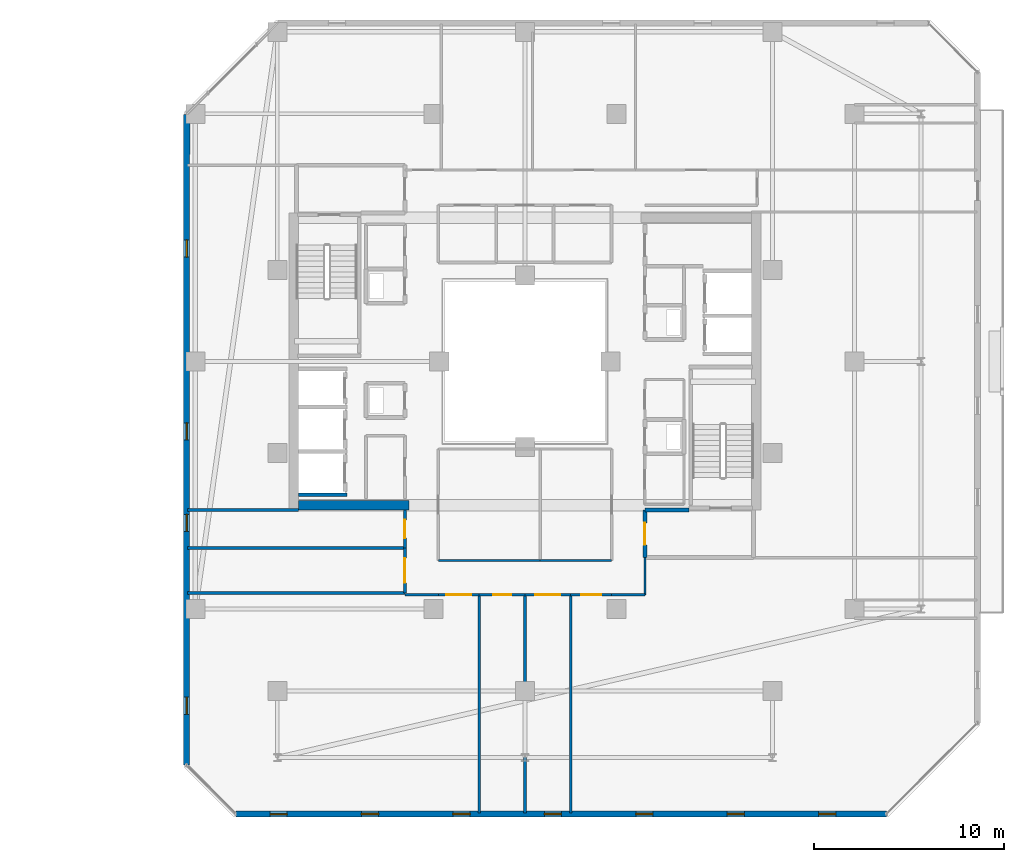
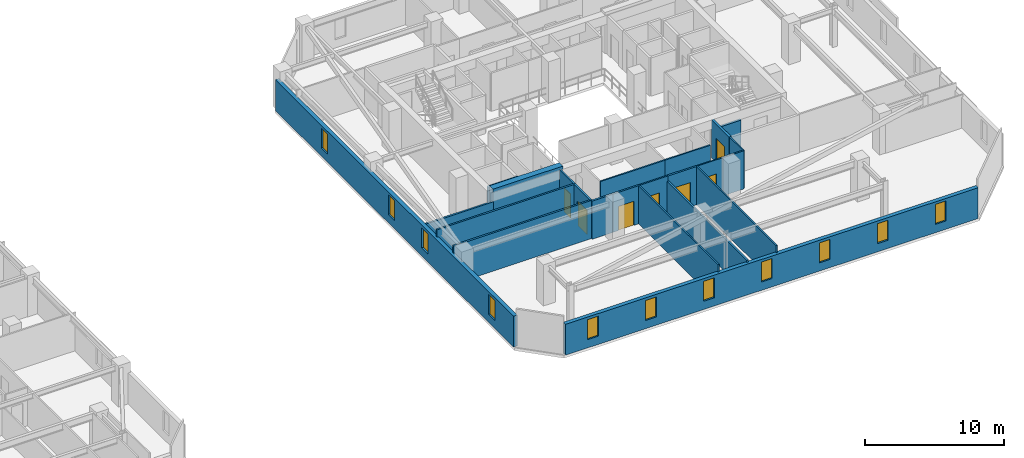
# One storey, part 22 of 32: 23 walls, 11 windows, 7 doors, 18 openings.
"""IFC4 building model written with IfcOpenShell, lengths in metres."""

from ifc_helpers import new_model, si_unit, direction, frame, frame_2d, origin, place, context, subcontext, project, spatial, rectangle, extrude, material, layer, layer_set, type_object, element, fill, save


model = new_model("IFC4")

# Units and contexts
model_context = context("Model", 3, precision=1e-05, world=origin(), true_north=direction((0.0, 1.0)))
body_context = subcontext(model_context, "Body", "Model", "MODEL_VIEW")
ifc_project = project(units=[si_unit("LENGTHUNIT", "METRE"), si_unit("AREAUNIT", "SQUARE_METRE"), si_unit("VOLUMEUNIT", "CUBIC_METRE"), si_unit("PLANEANGLEUNIT", "RADIAN"), si_unit("MASSUNIT", "GRAM", prefix="KILO")], contexts=[model_context])

# Site, building, storey
site_placement = place(None, origin())
site = spatial("IfcSite", under=ifc_project, at=site_placement, CompositionType="ELEMENT")
building_placement = place(site_placement, origin())
building = spatial("IfcBuilding", under=site, at=building_placement, Name="Thornwick Lancets Civic Towers", CompositionType="ELEMENT")
storey_placement = place(building_placement, frame((0.0, 0.0, 247.5)))
storey = spatial("IfcBuildingStorey", under=building, at=storey_placement, Name="L66", CompositionType="ELEMENT", Elevation=247.5)

# Walls
ifc_material_1 = material(Name="Concrete blockwork C40/50", Category="masonry")
ifc_layer_1 = layer(ifc_material_1, 0.199951171875, Name="Concrete blockwork C40/50")
ifc_layer_set_1 = layer_set([ifc_layer_1], Name="Concrete blockwork C40/50")
wall_type_1 = type_object("IfcWallType", Name="WALL_COMP_200", PredefinedType="STANDARD", material=ifc_layer_set_1)
wall_1_placement = place(storey_placement, frame((76.612060546875, 20.0, 0.0), z_axis=(0.0, 0.0, 1.0), x_axis=(1.0, 0.0, 0.0)))
element("IfcWall", 1, at=wall_1_placement, inside=storey, type_object=wall_type_1, Name="L66 Hoistway Shaft Wall PL-BH3 S", PredefinedType="STANDARD", context=body_context, shape_type="SweptSolid", body=[
    extrude(rectangle(XDim=2.535888671875, YDim=0.199951171875, at=frame_2d((1.26806640625, 0.0))), origin(), (0.0, 0.0, 1.0), 3.340087890625),
])
wall_2_placement = place(storey_placement, frame((97.10009765625, 19.199951171875, 0.0), z_axis=(0.0, 0.0, 1.0), x_axis=(-1.0, 0.0, 0.0)))
element("IfcWall", 2, at=wall_2_placement, inside=storey, type_object=wall_type_1, Name="L66 Partition L66-B-FFLOB1 E3", PredefinedType="STANDARD", context=body_context, shape_type="SweptSolid", body=[
    extrude(rectangle(XDim=2.300048828125, YDim=0.199951171875, at=frame_2d((1.14990234375, 0.0))), origin(), (0.0, 0.0, 1.0), 2.544921875),
])

# Wall, opening, door
wall_3_placement = place(storey_placement, frame((94.800048828125, 19.199951171875, 0.0), z_axis=(0.0, 0.0, 1.0), x_axis=(0.0, -1.0, 0.0)))
wall_3 = element("IfcWall", 3, at=wall_3_placement, inside=storey, type_object=wall_type_1, Name="L66 Partition L66-B-FFLOB1 E4", PredefinedType="STANDARD", context=body_context, shape_type="SweptSolid", body=[
    extrude(rectangle(XDim=2.5, YDim=0.199951171875, at=frame_2d((1.25, 0.0))), origin(), (0.0, 0.0, 1.0), 3.340087890625),
])
opening_1_placement = place(wall_3_placement, frame((0.675048828125, 0.0, 0.0)))
opening_1 = element("IfcOpeningElement", 4, at=opening_1_placement, cuts=wall_3, Name="Opening D-L66-2985", PredefinedType="OPENING", context=body_context, shape_type="SweptSolid", body=[
    extrude(rectangle(XDim=1.14990234375, YDim=2.10009765625, at=frame_2d((0.574951171875, 1.050048828125))), frame((0.0, 0.10986328125, 0.0), z_axis=(0.0, -1.0, 0.0), x_axis=(1.0, 0.0, 0.0)), (0.0, 0.0, 1.0), 0.219970703125),
])
ifc_material_2 = material(Name="Glazed fire-resisting steel", Category="steel")
door_type_1 = type_object("IfcDoorType", Name="DOOR_LOBBY_FD60", OperationType="NOTDEFINED", PredefinedType="DOOR", material=ifc_material_2)
door_1_placement = place(opening_1_placement, origin())
door_1 = element("IfcDoor", 5, at=door_1_placement, inside=storey, type_object=door_type_1, Name="L66 East Firefighting Lobby 1 Door", OperationType="SINGLE_SWING_RIGHT", OverallHeight=2.10009765625, OverallWidth=1.14990234375, PredefinedType="DOOR", context=body_context, shape_type="SweptSolid", body=[
    extrude(rectangle(XDim=1.14990234375, YDim=2.10009765625, at=frame_2d((0.574951171875, 1.050048828125))), frame((0.0, 0.02490234375, 0.0), z_axis=(0.0, -1.0, 0.0), x_axis=(1.0, 0.0, 0.0)), (0.0, 0.0, 1.0), 0.050048828125),
])
fill(opening_1, door_1)

# Wall
ifc_material_3 = material(Name="Concrete C50/60", Category="concrete")
ifc_layer_2 = layer(ifc_material_3, 0.5, Name="Concrete C50/60")
ifc_layer_set_2 = layer_set([ifc_layer_2], Name="Concrete C50/60")
wall_type_2 = type_object("IfcWallType", Name="WALL_CORE_500", PredefinedType="SHEAR", material=ifc_layer_set_2)
wall_4_placement = place(storey_placement, frame((76.60009765625, 19.449951171875, 0.0), z_axis=(0.0, 0.0, 1.0), x_axis=(1.0, 0.0, 0.0)))
element("IfcWall", 6, at=wall_4_placement, inside=storey, type_object=wall_type_2, Name="L66 Split Core B2 Shear Wall S", PredefinedType="SHEAR", context=body_context, shape_type="SweptSolid", body=[
    extrude(rectangle(XDim=5.7998046875, YDim=0.5, at=frame_2d((2.89990234375, 0.0))), origin(), (0.0, 0.0, 1.0), 3.60009765625),
])

# Wall, openings, windows
ifc_material_4 = material(Name="Insulated buff terracotta rainscreen on concrete C40/50", Category="masonry")
ifc_layer_3 = layer(ifc_material_4, 0.320068359375, Name="Insulated buff terracotta rainscreen on concrete C40/50")
ifc_layer_set_3 = layer_set([ifc_layer_3], Name="Insulated buff terracotta rainscreen on concrete C40/50")
wall_type_3 = type_object("IfcWallType", Name="WALL_EXT_TERRA_320", PredefinedType="STANDARD", material=ifc_layer_set_3)
wall_5_placement = place(storey_placement, frame((73.318603515625, 3.2353515625, 0.0), z_axis=(0.0, 0.0, 1.0), x_axis=(0.99999997701, 0.000214431216, 0.0)))
wall_5 = element("IfcWall", 7, at=wall_5_placement, inside=storey, type_object=wall_type_3, Name="L66 Tower B Terracotta Facade Wall E0", PredefinedType="STANDARD", context=body_context, shape_type="SweptSolid", body=[
    extrude(rectangle(XDim=34.156494140625, YDim=0.320068359375, at=frame_2d((17.078125, 0.0))), origin(), (0.0, 0.0, 1.0), 2.699951171875),
])
opening_2_placement = place(wall_5_placement, frame((1.800048828125, 0.0, 0.719970703125)))
opening_2 = element("IfcOpeningElement", 8, at=opening_2_placement, cuts=wall_5, Name="Opening WL-01", PredefinedType="OPENING", context=body_context, shape_type="SweptSolid", body=[
    extrude(rectangle(XDim=0.89990234375, YDim=1.75, at=frame_2d((0.449951171875, 0.875))), frame((0.0, 0.169921875, 0.0), z_axis=(0.0, -1.0, 0.0), x_axis=(1.0, 0.0, 0.0)), (0.0, 0.0, 1.0), 0.340087890625),
])
opening_3_placement = place(wall_5_placement, frame((6.60009765625, 0.0, 0.719970703125)))
opening_3 = element("IfcOpeningElement", 9, at=opening_3_placement, cuts=wall_5, Name="Opening WL-01", PredefinedType="OPENING", context=body_context, shape_type="SweptSolid", body=[
    extrude(rectangle(XDim=0.89990234375, YDim=1.75, at=frame_2d((0.449951171875, 0.875))), frame((0.0, 0.169921875, 0.0), z_axis=(0.0, -1.0, 0.0), x_axis=(1.0, 0.0, 0.0)), (0.0, 0.0, 1.0), 0.340087890625),
])
opening_4_placement = place(wall_5_placement, frame((11.39990234375, 0.0, 0.719970703125)))
opening_4 = element("IfcOpeningElement", 10, at=opening_4_placement, cuts=wall_5, Name="Opening WL-01", PredefinedType="OPENING", context=body_context, shape_type="SweptSolid", body=[
    extrude(rectangle(XDim=0.89990234375, YDim=1.75, at=frame_2d((0.449951171875, 0.875))), frame((0.0, 0.169921875, 0.0), z_axis=(0.0, -1.0, 0.0), x_axis=(1.0, 0.0, 0.0)), (0.0, 0.0, 1.0), 0.340087890625),
])
opening_5_placement = place(wall_5_placement, frame((16.199951171875, 0.0, 0.719970703125)))
opening_5 = element("IfcOpeningElement", 11, at=opening_5_placement, cuts=wall_5, Name="Opening WL-01", PredefinedType="OPENING", context=body_context, shape_type="SweptSolid", body=[
    extrude(rectangle(XDim=0.89990234375, YDim=1.75, at=frame_2d((0.449951171875, 0.875))), frame((0.0, 0.169921875, 0.0), z_axis=(0.0, -1.0, 0.0), x_axis=(1.0, 0.0, 0.0)), (0.0, 0.0, 1.0), 0.340087890625),
])
opening_6_placement = place(wall_5_placement, frame((21.0, 0.0, 0.719970703125)))
opening_6 = element("IfcOpeningElement", 12, at=opening_6_placement, cuts=wall_5, Name="Opening WL-01", PredefinedType="OPENING", context=body_context, shape_type="SweptSolid", body=[
    extrude(rectangle(XDim=0.89990234375, YDim=1.75, at=frame_2d((0.449951171875, 0.875))), frame((0.0, 0.169921875, 0.0), z_axis=(0.0, -1.0, 0.0), x_axis=(1.0, 0.0, 0.0)), (0.0, 0.0, 1.0), 0.340087890625),
])
opening_7_placement = place(wall_5_placement, frame((25.800048828125, 0.0, 0.719970703125)))
opening_7 = element("IfcOpeningElement", 13, at=opening_7_placement, cuts=wall_5, Name="Opening WL-01", PredefinedType="OPENING", context=body_context, shape_type="SweptSolid", body=[
    extrude(rectangle(XDim=0.89990234375, YDim=1.75, at=frame_2d((0.449951171875, 0.875))), frame((0.0, 0.169921875, 0.0), z_axis=(0.0, -1.0, 0.0), x_axis=(1.0, 0.0, 0.0)), (0.0, 0.0, 1.0), 0.340087890625),
])
opening_8_placement = place(wall_5_placement, frame((30.60009765625, 0.0, 0.719970703125)))
opening_8 = element("IfcOpeningElement", 14, at=opening_8_placement, cuts=wall_5, Name="Opening WL-01", PredefinedType="OPENING", context=body_context, shape_type="SweptSolid", body=[
    extrude(rectangle(XDim=0.89990234375, YDim=1.75, at=frame_2d((0.449951171875, 0.875))), frame((0.0, 0.169921875, 0.0), z_axis=(0.0, -1.0, 0.0), x_axis=(1.0, 0.0, 0.0)), (0.0, 0.0, 1.0), 0.340087890625),
])
ifc_material_5 = material(Name="Clear low-e double glazing in bronze frame", Category="glass")
window_type = type_object("IfcWindowType", Name="WIN_LANCET_900", PartitioningType="SINGLE_PANEL", PredefinedType="WINDOW", material=ifc_material_5)
window_1_placement = place(opening_2_placement, origin())
window_1 = element("IfcWindow", 15, at=window_1_placement, inside=storey, type_object=window_type, Name="L66 Tower B Staggered Lancet Window E0-1", OverallHeight=1.75, OverallWidth=0.89990234375, PartitioningType="SINGLE_PANEL", PredefinedType="WINDOW", context=body_context, shape_type="SweptSolid", body=[
    extrude(rectangle(XDim=0.89990234375, YDim=1.75, at=frame_2d((0.449951171875, 0.875))), frame((0.0, 0.030029296875, 0.0), z_axis=(0.0, -1.0, 0.0), x_axis=(1.0, 0.0, 0.0)), (0.0, 0.0, 1.0), 0.06005859375),
])
fill(opening_2, window_1)
window_2_placement = place(opening_3_placement, origin())
window_2 = element("IfcWindow", 16, at=window_2_placement, inside=storey, type_object=window_type, Name="L66 Tower B Staggered Lancet Window E0-2", OverallHeight=1.75, OverallWidth=0.89990234375, PartitioningType="SINGLE_PANEL", PredefinedType="WINDOW", context=body_context, shape_type="SweptSolid", body=[
    extrude(rectangle(XDim=0.89990234375, YDim=1.75, at=frame_2d((0.449951171875, 0.875))), frame((0.0, 0.030029296875, 0.0), z_axis=(0.0, -1.0, 0.0), x_axis=(1.0, 0.0, 0.0)), (0.0, 0.0, 1.0), 0.06005859375),
])
fill(opening_3, window_2)
window_3_placement = place(opening_4_placement, origin())
window_3 = element("IfcWindow", 17, at=window_3_placement, inside=storey, type_object=window_type, Name="L66 Tower B Staggered Lancet Window E0-3", OverallHeight=1.75, OverallWidth=0.89990234375, PartitioningType="SINGLE_PANEL", PredefinedType="WINDOW", context=body_context, shape_type="SweptSolid", body=[
    extrude(rectangle(XDim=0.89990234375, YDim=1.75, at=frame_2d((0.449951171875, 0.875))), frame((0.0, 0.030029296875, 0.0), z_axis=(0.0, -1.0, 0.0), x_axis=(1.0, 0.0, 0.0)), (0.0, 0.0, 1.0), 0.06005859375),
])
fill(opening_4, window_3)
window_4_placement = place(opening_5_placement, origin())
window_4 = element("IfcWindow", 18, at=window_4_placement, inside=storey, type_object=window_type, Name="L66 Tower B Staggered Lancet Window E0-4", OverallHeight=1.75, OverallWidth=0.89990234375, PartitioningType="SINGLE_PANEL", PredefinedType="WINDOW", context=body_context, shape_type="SweptSolid", body=[
    extrude(rectangle(XDim=0.89990234375, YDim=1.75, at=frame_2d((0.449951171875, 0.875))), frame((0.0, 0.030029296875, 0.0), z_axis=(0.0, -1.0, 0.0), x_axis=(1.0, 0.0, 0.0)), (0.0, 0.0, 1.0), 0.06005859375),
])
fill(opening_5, window_4)
window_5_placement = place(opening_6_placement, origin())
window_5 = element("IfcWindow", 19, at=window_5_placement, inside=storey, type_object=window_type, Name="L66 Tower B Staggered Lancet Window E0-5", OverallHeight=1.75, OverallWidth=0.89990234375, PartitioningType="SINGLE_PANEL", PredefinedType="WINDOW", context=body_context, shape_type="SweptSolid", body=[
    extrude(rectangle(XDim=0.89990234375, YDim=1.75, at=frame_2d((0.449951171875, 0.875))), frame((0.0, 0.030029296875, 0.0), z_axis=(0.0, -1.0, 0.0), x_axis=(1.0, 0.0, 0.0)), (0.0, 0.0, 1.0), 0.06005859375),
])
fill(opening_6, window_5)
window_6_placement = place(opening_7_placement, origin())
window_6 = element("IfcWindow", 20, at=window_6_placement, inside=storey, type_object=window_type, Name="L66 Tower B Staggered Lancet Window E0-6", OverallHeight=1.75, OverallWidth=0.89990234375, PartitioningType="SINGLE_PANEL", PredefinedType="WINDOW", context=body_context, shape_type="SweptSolid", body=[
    extrude(rectangle(XDim=0.89990234375, YDim=1.75, at=frame_2d((0.449951171875, 0.875))), frame((0.0, 0.030029296875, 0.0), z_axis=(0.0, -1.0, 0.0), x_axis=(1.0, 0.0, 0.0)), (0.0, 0.0, 1.0), 0.06005859375),
])
fill(opening_7, window_6)
window_7_placement = place(opening_8_placement, origin())
window_7 = element("IfcWindow", 21, at=window_7_placement, inside=storey, type_object=window_type, Name="L66 Tower B Staggered Lancet Window E0-7", OverallHeight=1.75, OverallWidth=0.89990234375, PartitioningType="SINGLE_PANEL", PredefinedType="WINDOW", context=body_context, shape_type="SweptSolid", body=[
    extrude(rectangle(XDim=0.89990234375, YDim=1.75, at=frame_2d((0.449951171875, 0.875))), frame((0.0, 0.030029296875, 0.0), z_axis=(0.0, -1.0, 0.0), x_axis=(1.0, 0.0, 0.0)), (0.0, 0.0, 1.0), 0.06005859375),
])
fill(opening_8, window_7)

wall_6_placement = place(storey_placement, frame((70.74267578125, 39.97509765625, 0.0), z_axis=(0.0, 0.0, 1.0), x_axis=(-0.000214431216, -0.99999997701, 0.0)))
wall_6 = element("IfcWall", 22, at=wall_6_placement, inside=storey, type_object=wall_type_3, Name="L66 Tower B Terracotta Facade Wall E6", PredefinedType="STANDARD", context=body_context, shape_type="SweptSolid", body=[
    extrude(rectangle(XDim=34.156494140625, YDim=0.320068359375, at=frame_2d((17.078125, 0.0))), origin(), (0.0, 0.0, 1.0), 2.699951171875),
])
opening_9_placement = place(wall_6_placement, frame((6.60009765625, 0.0, 0.719970703125)))
opening_9 = element("IfcOpeningElement", 23, at=opening_9_placement, cuts=wall_6, Name="Opening WL-01", PredefinedType="OPENING", context=body_context, shape_type="SweptSolid", body=[
    extrude(rectangle(XDim=0.89990234375, YDim=1.75, at=frame_2d((0.449951171875, 0.875))), frame((0.0, 0.169921875, 0.0), z_axis=(0.0, -1.0, 0.0), x_axis=(1.0, 0.0, 0.0)), (0.0, 0.0, 1.0), 0.340087890625),
])
opening_10_placement = place(wall_6_placement, frame((16.199951171875, 0.0, 0.719970703125)))
opening_10 = element("IfcOpeningElement", 24, at=opening_10_placement, cuts=wall_6, Name="Opening WL-01", PredefinedType="OPENING", context=body_context, shape_type="SweptSolid", body=[
    extrude(rectangle(XDim=0.89990234375, YDim=1.75, at=frame_2d((0.449951171875, 0.875))), frame((0.0, 0.169921875, 0.0), z_axis=(0.0, -1.0, 0.0), x_axis=(1.0, 0.0, 0.0)), (0.0, 0.0, 1.0), 0.340087890625),
])
opening_11_placement = place(wall_6_placement, frame((21.0, 0.0, 0.719970703125)))
opening_11 = element("IfcOpeningElement", 25, at=opening_11_placement, cuts=wall_6, Name="Opening WL-01", PredefinedType="OPENING", context=body_context, shape_type="SweptSolid", body=[
    extrude(rectangle(XDim=0.89990234375, YDim=1.75, at=frame_2d((0.449951171875, 0.875))), frame((0.0, 0.169921875, 0.0), z_axis=(0.0, -1.0, 0.0), x_axis=(1.0, 0.0, 0.0)), (0.0, 0.0, 1.0), 0.340087890625),
])
opening_12_placement = place(wall_6_placement, frame((30.60009765625, 0.0, 0.719970703125)))
opening_12 = element("IfcOpeningElement", 26, at=opening_12_placement, cuts=wall_6, Name="Opening WL-01", PredefinedType="OPENING", context=body_context, shape_type="SweptSolid", body=[
    extrude(rectangle(XDim=0.89990234375, YDim=1.75, at=frame_2d((0.449951171875, 0.875))), frame((0.0, 0.169921875, 0.0), z_axis=(0.0, -1.0, 0.0), x_axis=(1.0, 0.0, 0.0)), (0.0, 0.0, 1.0), 0.340087890625),
])
window_8_placement = place(opening_9_placement, origin())
window_8 = element("IfcWindow", 27, at=window_8_placement, inside=storey, type_object=window_type, Name="L66 Tower B Staggered Lancet Window E6-1", OverallHeight=1.75, OverallWidth=0.89990234375, PartitioningType="SINGLE_PANEL", PredefinedType="WINDOW", context=body_context, shape_type="SweptSolid", body=[
    extrude(rectangle(XDim=0.89990234375, YDim=1.75, at=frame_2d((0.449951171875, 0.875))), frame((0.0, 0.030029296875, 0.0), z_axis=(0.0, -1.0, 0.0), x_axis=(1.0, 0.0, 0.0)), (0.0, 0.0, 1.0), 0.06005859375),
])
fill(opening_9, window_8)
window_9_placement = place(opening_10_placement, origin())
window_9 = element("IfcWindow", 28, at=window_9_placement, inside=storey, type_object=window_type, Name="L66 Tower B Staggered Lancet Window E6-2", OverallHeight=1.75, OverallWidth=0.89990234375, PartitioningType="SINGLE_PANEL", PredefinedType="WINDOW", context=body_context, shape_type="SweptSolid", body=[
    extrude(rectangle(XDim=0.89990234375, YDim=1.75, at=frame_2d((0.449951171875, 0.875))), frame((0.0, 0.030029296875, 0.0), z_axis=(0.0, -1.0, 0.0), x_axis=(1.0, 0.0, 0.0)), (0.0, 0.0, 1.0), 0.06005859375),
])
fill(opening_10, window_9)
window_10_placement = place(opening_11_placement, origin())
window_10 = element("IfcWindow", 29, at=window_10_placement, inside=storey, type_object=window_type, Name="L66 Tower B Staggered Lancet Window E6-3", OverallHeight=1.75, OverallWidth=0.89990234375, PartitioningType="SINGLE_PANEL", PredefinedType="WINDOW", context=body_context, shape_type="SweptSolid", body=[
    extrude(rectangle(XDim=0.89990234375, YDim=1.75, at=frame_2d((0.449951171875, 0.875))), frame((0.0, 0.030029296875, 0.0), z_axis=(0.0, -1.0, 0.0), x_axis=(1.0, 0.0, 0.0)), (0.0, 0.0, 1.0), 0.06005859375),
])
fill(opening_11, window_10)
window_11_placement = place(opening_12_placement, origin())
window_11 = element("IfcWindow", 30, at=window_11_placement, inside=storey, type_object=window_type, Name="L66 Tower B Staggered Lancet Window E6-4", OverallHeight=1.75, OverallWidth=0.89990234375, PartitioningType="SINGLE_PANEL", PredefinedType="WINDOW", context=body_context, shape_type="SweptSolid", body=[
    extrude(rectangle(XDim=0.89990234375, YDim=1.75, at=frame_2d((0.449951171875, 0.875))), frame((0.0, 0.030029296875, 0.0), z_axis=(0.0, -1.0, 0.0), x_axis=(1.0, 0.0, 0.0)), (0.0, 0.0, 1.0), 0.06005859375),
])
fill(opening_12, window_11)

# Wall
ifc_material_6 = material(Name="Acoustic gypsum board partition")
ifc_layer_4 = layer(ifc_material_6, 0.1201171875, Name="Acoustic gypsum board partition")
ifc_layer_set_4 = layer_set([ifc_layer_4], Name="Acoustic gypsum board partition")
wall_type_4 = type_object("IfcWallType", Name="WALL_PART_120", PredefinedType="PARTITIONING", material=ifc_layer_set_4)
wall_7_placement = place(storey_placement, frame((90.89990234375, 3.280029296875, 0.0), z_axis=(0.0, 0.0, 1.0), x_axis=(0.0, 1.0, 0.0)))
element("IfcWall", 31, at=wall_7_placement, inside=storey, type_object=wall_type_4, Name="L66 Partition L66-B-W1 E2", PredefinedType="PARTITIONING", context=body_context, shape_type="SweptSolid", body=[
    extrude(rectangle(XDim=11.469970703125, YDim=0.1201171875, at=frame_2d((5.73486328125, 0.0))), origin(), (0.0, 0.0, 1.0), 3.340087890625),
])

# Wall, opening, door
wall_8_placement = place(storey_placement, frame((90.89990234375, 14.75, 0.0), z_axis=(0.0, 0.0, 1.0), x_axis=(1.0, 0.0, 0.0)))
wall_8 = element("IfcWall", 32, at=wall_8_placement, inside=storey, type_object=wall_type_4, Name="L66 Partition L66-B-W1 E3", PredefinedType="PARTITIONING", context=body_context, shape_type="SweptSolid", body=[
    extrude(rectangle(XDim=2.150146484375, YDim=0.1201171875, at=frame_2d((1.0751953125, 0.0))), origin(), (0.0, 0.0, 1.0), 3.340087890625),
])
opening_13_placement = place(wall_8_placement, frame((0.550048828125, 0.0, 0.0)))
opening_13 = element("IfcOpeningElement", 33, at=opening_13_placement, cuts=wall_8, Name="Opening D-L66-3016", PredefinedType="OPENING", context=body_context, shape_type="SweptSolid", body=[
    extrude(rectangle(XDim=1.050048828125, YDim=2.10009765625, at=frame_2d((0.52490234375, 1.050048828125))), frame((0.0, 0.070068359375, 0.0), z_axis=(0.0, -1.0, 0.0), x_axis=(1.0, 0.0, 0.0)), (0.0, 0.0, 1.0), 0.14013671875),
])
ifc_material_7 = material(Name="Glazed European oak executive doorset")
door_type_2 = type_object("IfcDoorType", Name="DOOR_OFFICE_1050", OperationType="NOTDEFINED", PredefinedType="DOOR", material=ifc_material_7)
door_2_placement = place(opening_13_placement, origin())
door_2 = element("IfcDoor", 34, at=door_2_placement, inside=storey, type_object=door_type_2, Name="L66 Tower B Ministry Directorate Office W1 Door", OperationType="SINGLE_SWING_LEFT", OverallHeight=2.10009765625, OverallWidth=1.050048828125, PredefinedType="DOOR", context=body_context, shape_type="SweptSolid", body=[
    extrude(rectangle(XDim=1.050048828125, YDim=2.10009765625, at=frame_2d((0.52490234375, 1.050048828125))), frame((0.0, 0.02490234375, 0.0), z_axis=(0.0, -1.0, 0.0), x_axis=(1.0, 0.0, 0.0)), (0.0, 0.0, 1.0), 0.050048828125),
])
fill(opening_13, door_2)

# Walls
wall_9_placement = place(storey_placement, frame((93.050048828125, 14.75, 0.0), z_axis=(0.0, 0.0, 1.0), x_axis=(1.0, 0.0, 0.0)))
element("IfcWall", 35, at=wall_9_placement, inside=storey, type_object=wall_type_4, Name="L66 Partition L66-B-W1 E4", PredefinedType="PARTITIONING", context=body_context, shape_type="SweptSolid", body=[
    extrude(rectangle(XDim=1.75, YDim=0.1201171875, at=frame_2d((0.875, 0.0))), origin(), (0.0, 0.0, 1.0), 3.340087890625),
])
wall_10_placement = place(storey_placement, frame((94.800048828125, 14.75, 0.0), z_axis=(0.0, 0.0, 1.0), x_axis=(0.0, 1.0, 0.0)))
element("IfcWall", 36, at=wall_10_placement, inside=storey, type_object=wall_type_4, Name="L66 Partition L66-B-W1 E5", PredefinedType="PARTITIONING", context=body_context, shape_type="SweptSolid", body=[
    extrude(rectangle(XDim=1.949951171875, YDim=0.1201171875, at=frame_2d((0.97509765625, 0.0))), origin(), (0.0, 0.0, 1.0), 3.340087890625),
])
wall_11_placement = place(storey_placement, frame((86.10009765625, 3.280029296875, 0.0), z_axis=(0.0, 0.0, 1.0), x_axis=(0.0, 1.0, 0.0)))
element("IfcWall", 37, at=wall_11_placement, inside=storey, type_object=wall_type_4, Name="L66 Partition L66-B-W2B E3", PredefinedType="PARTITIONING", context=body_context, shape_type="SweptSolid", body=[
    extrude(rectangle(XDim=11.469970703125, YDim=0.1201171875, at=frame_2d((5.73486328125, 0.0))), origin(), (0.0, 0.0, 1.0), 3.340087890625),
])

# Wall, opening, door
wall_12_placement = place(storey_placement, frame((86.10009765625, 14.75, 0.0), z_axis=(0.0, 0.0, 1.0), x_axis=(1.0, 0.0, 0.0)))
wall_12 = element("IfcWall", 38, at=wall_12_placement, inside=storey, type_object=wall_type_4, Name="L66 Partition L66-B-W2B E4", PredefinedType="PARTITIONING", context=body_context, shape_type="SweptSolid", body=[
    extrude(rectangle(XDim=2.39990234375, YDim=0.1201171875, at=frame_2d((1.199951171875, 0.0))), origin(), (0.0, 0.0, 1.0), 3.340087890625),
])
opening_14_placement = place(wall_12_placement, frame((0.72509765625, 0.0, 0.0)))
opening_14 = element("IfcOpeningElement", 39, at=opening_14_placement, cuts=wall_12, Name="Opening D-L66-3018", PredefinedType="OPENING", context=body_context, shape_type="SweptSolid", body=[
    extrude(rectangle(XDim=0.949951171875, YDim=2.10009765625, at=frame_2d((0.47509765625, 1.050048828125))), frame((0.0, 0.070068359375, 0.0), z_axis=(0.0, -1.0, 0.0), x_axis=(1.0, 0.0, 0.0)), (0.0, 0.0, 1.0), 0.14013671875),
])
ifc_material_8 = material(Name="European oak acoustic doorset")
door_type_3 = type_object("IfcDoorType", Name="DOOR_OFFICE_950", OperationType="NOTDEFINED", PredefinedType="DOOR", material=ifc_material_8)
door_3_placement = place(opening_14_placement, origin())
door_3 = element("IfcDoor", 40, at=door_3_placement, inside=storey, type_object=door_type_3, Name="L66 Tower B Senior Counsel Office W2B Door", OperationType="SINGLE_SWING_LEFT", OverallHeight=2.10009765625, OverallWidth=0.949951171875, PredefinedType="DOOR", context=body_context, shape_type="SweptSolid", body=[
    extrude(rectangle(XDim=0.949951171875, YDim=2.10009765625, at=frame_2d((0.47509765625, 1.050048828125))), frame((0.0, 0.02490234375, 0.0), z_axis=(0.0, -1.0, 0.0), x_axis=(1.0, 0.0, 0.0)), (0.0, 0.0, 1.0), 0.050048828125),
])
fill(opening_14, door_3)

# Walls
wall_13_placement = place(storey_placement, frame((93.050048828125, 16.550048828125, 0.0), z_axis=(0.0, 0.0, 1.0), x_axis=(-1.0, 0.0, 0.0)))
element("IfcWall", 41, at=wall_13_placement, inside=storey, type_object=wall_type_4, Name="L66 Partition L66-B-W3 E4", PredefinedType="PARTITIONING", context=body_context, shape_type="SweptSolid", body=[
    extrude(rectangle(XDim=3.75, YDim=0.1201171875, at=frame_2d((1.875, 0.0))), origin(), (0.0, 0.0, 1.0), 3.340087890625),
])
wall_14_placement = place(storey_placement, frame((89.300048828125, 16.550048828125, 0.0), z_axis=(0.0, 0.0, 1.0), x_axis=(-1.0, 0.0, 0.0)))
element("IfcWall", 42, at=wall_14_placement, inside=storey, type_object=wall_type_4, Name="L66 Partition L66-B-W4 E4", PredefinedType="PARTITIONING", context=body_context, shape_type="SweptSolid", body=[
    extrude(rectangle(XDim=5.35009765625, YDim=0.1201171875, at=frame_2d((2.675048828125, 0.0))), origin(), (0.0, 0.0, 1.0), 3.340087890625),
])
ifc_material_9 = material(Name="Twin-stud acoustic gypsum board")
ifc_layer_5 = layer(ifc_material_9, 0.14990234375, Name="Twin-stud acoustic gypsum board")
ifc_layer_set_5 = layer_set([ifc_layer_5], Name="Twin-stud acoustic gypsum board")
wall_type_5 = type_object("IfcWallType", Name="WALL_PART_150", PredefinedType="PARTITIONING", material=ifc_layer_set_5)
for number, where, z_axis, x_axis, name in (
    (43, (82.199951171875, 14.85009765625, 0.0), (0.0, 0.0, 1.0), (-1.0, 0.0, 0.0), "L66 Partition L66-B-RECLAIM-M1 E1"),
    (44, (70.780029296875, 17.199951171875, 0.0), (0.0, 0.0, 1.0), (1.0, 0.0, 0.0), "L66 Partition L66-B-RECLAIM-M1 E3"),
):
    element("IfcWall", number, at=place(storey_placement, frame(where, z_axis=z_axis, x_axis=x_axis)), inside=storey, type_object=wall_type_5, Name=name, PredefinedType="PARTITIONING", context=body_context, shape_type="SweptSolid", body=[
        extrude(rectangle(XDim=11.419921875, YDim=0.14990234375, at=frame_2d((5.7099609375, 0.0))), origin(), (0.0, 0.0, 1.0), 3.340087890625),
    ])

# Wall, opening, door
wall_15_placement = place(storey_placement, frame((82.199951171875, 17.199951171875, 0.0), z_axis=(0.0, 0.0, 1.0), x_axis=(0.0, -1.0, 0.0)))
wall_15 = element("IfcWall", 45, at=wall_15_placement, inside=storey, type_object=wall_type_5, Name="L66 Partition L66-B-RECLAIM-M1 E4", PredefinedType="PARTITIONING", context=body_context, shape_type="SweptSolid", body=[
    extrude(rectangle(XDim=2.349853515625, YDim=0.14990234375, at=frame_2d((1.1748046875, 0.0))), origin(), (0.0, 0.0, 1.0), 3.340087890625),
])
opening_15_placement = place(wall_15_placement, frame((0.52490234375, 0.0, 0.0)))
opening_15 = element("IfcOpeningElement", 46, at=opening_15_placement, cuts=wall_15, Name="Opening D-L66-3014", PredefinedType="OPENING", context=body_context, shape_type="SweptSolid", body=[
    extrude(rectangle(XDim=1.300048828125, YDim=2.1201171875, at=frame_2d((0.64990234375, 1.06005859375))), frame((0.0, 0.0849609375, 0.0), z_axis=(0.0, -1.0, 0.0), x_axis=(1.0, 0.0, 0.0)), (0.0, 0.0, 1.0), 0.169921875),
])
ifc_material_10 = material(Name="Acoustic oak leaf-and-a-half doorset")
door_type_4 = type_object("IfcDoorType", Name="DOOR_MEET_1300", OperationType="DOUBLE_DOOR_SINGLE_SWING", PredefinedType="DOOR", material=ifc_material_10)
door_4_placement = place(opening_15_placement, origin())
door_4 = element("IfcDoor", 47, at=door_4_placement, inside=storey, type_object=door_type_4, Name="L66 Tower B Diplomatic Conference Room Door", OperationType="DOUBLE_DOOR_SINGLE_SWING", OverallHeight=2.1201171875, OverallWidth=1.300048828125, PredefinedType="DOOR", context=body_context, shape_type="SweptSolid", body=[
    extrude(rectangle(XDim=1.300048828125, YDim=2.1201171875, at=frame_2d((0.64990234375, 1.06005859375))), frame((0.0, 0.02490234375, 0.0), z_axis=(0.0, -1.0, 0.0), x_axis=(1.0, 0.0, 0.0)), (0.0, 0.0, 1.0), 0.050048828125),
])
fill(opening_15, door_4)

# Wall
wall_16_placement = place(storey_placement, frame((70.780029296875, 19.199951171875, 0.0), z_axis=(0.0, 0.0, 1.0), x_axis=(1.0, 0.0, 0.0)))
element("IfcWall", 48, at=wall_16_placement, inside=storey, type_object=wall_type_5, Name="L66 Partition L66-B-RECLAIM-M2 E3", PredefinedType="PARTITIONING", context=body_context, shape_type="SweptSolid", body=[
    extrude(rectangle(XDim=5.820068359375, YDim=0.14990234375, at=frame_2d((2.91015625, 0.0))), origin(), (0.0, 0.0, 1.0), 2.544921875),
])

# Wall, opening, door
wall_17_placement = place(storey_placement, frame((82.199951171875, 19.199951171875, 0.0), z_axis=(0.0, 0.0, 1.0), x_axis=(0.0, -1.0, 0.0)))
wall_17 = element("IfcWall", 49, at=wall_17_placement, inside=storey, type_object=wall_type_5, Name="L66 Partition L66-B-RECLAIM-M2 E4", PredefinedType="PARTITIONING", context=body_context, shape_type="SweptSolid", body=[
    extrude(rectangle(XDim=2.0, YDim=0.14990234375, at=frame_2d((1.0, 0.0))), origin(), (0.0, 0.0, 1.0), 3.340087890625),
])
opening_16_placement = place(wall_17_placement, frame((0.52490234375, 0.0, 0.0)))
opening_16 = element("IfcOpeningElement", 50, at=opening_16_placement, cuts=wall_17, Name="Opening D-L66-3015", PredefinedType="OPENING", context=body_context, shape_type="SweptSolid", body=[
    extrude(rectangle(XDim=0.949951171875, YDim=2.10009765625, at=frame_2d((0.47509765625, 1.050048828125))), frame((0.0, 0.0849609375, 0.0), z_axis=(0.0, -1.0, 0.0), x_axis=(1.0, 0.0, 0.0)), (0.0, 0.0, 1.0), 0.169921875),
])
door_5_placement = place(opening_16_placement, origin())
door_5 = element("IfcDoor", 51, at=door_5_placement, inside=storey, type_object=door_type_3, Name="L66 Tower B Executive Records Archive Door", OperationType="SINGLE_SWING_RIGHT", OverallHeight=2.10009765625, OverallWidth=0.949951171875, PredefinedType="DOOR", context=body_context, shape_type="SweptSolid", body=[
    extrude(rectangle(XDim=0.949951171875, YDim=2.10009765625, at=frame_2d((0.47509765625, 1.050048828125))), frame((0.0, 0.02490234375, 0.0), z_axis=(0.0, -1.0, 0.0), x_axis=(1.0, 0.0, 0.0)), (0.0, 0.0, 1.0), 0.050048828125),
])
fill(opening_16, door_5)

# Wall
wall_18_placement = place(storey_placement, frame((88.5, 3.280029296875, 0.0), z_axis=(0.0, 0.0, 1.0), x_axis=(0.0, 1.0, 0.0)))
element("IfcWall", 52, at=wall_18_placement, inside=storey, type_object=wall_type_5, Name="L66 Partition L66-B-W2 E3", PredefinedType="PARTITIONING", context=body_context, shape_type="SweptSolid", body=[
    extrude(rectangle(XDim=11.469970703125, YDim=0.14990234375, at=frame_2d((5.73486328125, 0.0))), origin(), (0.0, 0.0, 1.0), 2.881591796875),
])

# Wall, opening, door
wall_19_placement = place(storey_placement, frame((88.5, 14.75, 0.0), z_axis=(0.0, 0.0, 1.0), x_axis=(1.0, 0.0, 0.0)))
wall_19 = element("IfcWall", 53, at=wall_19_placement, inside=storey, type_object=wall_type_5, Name="L66 Partition L66-B-W2 E4", PredefinedType="PARTITIONING", context=body_context, shape_type="SweptSolid", body=[
    extrude(rectangle(XDim=2.39990234375, YDim=0.14990234375, at=frame_2d((1.199951171875, 0.0))), origin(), (0.0, 0.0, 1.0), 3.340087890625),
])
opening_17_placement = place(wall_19_placement, frame((0.550048828125, 0.0, 0.0)))
opening_17 = element("IfcOpeningElement", 54, at=opening_17_placement, cuts=wall_19, Name="Opening D-L66-3017", PredefinedType="OPENING", context=body_context, shape_type="SweptSolid", body=[
    extrude(rectangle(XDim=1.300048828125, YDim=2.1201171875, at=frame_2d((0.64990234375, 1.06005859375))), frame((0.0, 0.0849609375, 0.0), z_axis=(0.0, -1.0, 0.0), x_axis=(1.0, 0.0, 0.0)), (0.0, 0.0, 1.0), 0.169921875),
])
door_6_placement = place(opening_17_placement, origin())
door_6 = element("IfcDoor", 55, at=door_6_placement, inside=storey, type_object=door_type_4, Name="L66 Tower B Policy Briefing Room W2 Door", OperationType="DOUBLE_DOOR_SINGLE_SWING", OverallHeight=2.1201171875, OverallWidth=1.300048828125, PredefinedType="DOOR", context=body_context, shape_type="SweptSolid", body=[
    extrude(rectangle(XDim=1.300048828125, YDim=2.1201171875, at=frame_2d((0.64990234375, 1.06005859375))), frame((0.0, 0.02490234375, 0.0), z_axis=(0.0, -1.0, 0.0), x_axis=(1.0, 0.0, 0.0)), (0.0, 0.0, 1.0), 0.050048828125),
])
fill(opening_17, door_6)

# Wall
wall_20_placement = place(storey_placement, frame((82.199951171875, 14.75, 0.0), z_axis=(0.0, 0.0, 1.0), x_axis=(1.0, 0.0, 0.0)))
element("IfcWall", 56, at=wall_20_placement, inside=storey, type_object=wall_type_5, Name="L66 Partition L66-B-W2C E5", PredefinedType="PARTITIONING", context=body_context, shape_type="SweptSolid", body=[
    extrude(rectangle(XDim=1.75, YDim=0.14990234375, at=frame_2d((0.875, 0.0))), origin(), (0.0, 0.0, 1.0), 3.340087890625),
])

# Wall, opening, door
wall_21_placement = place(storey_placement, frame((83.949951171875, 14.75, 0.0), z_axis=(0.0, 0.0, 1.0), x_axis=(1.0, 0.0, 0.0)))
wall_21 = element("IfcWall", 57, at=wall_21_placement, inside=storey, type_object=wall_type_5, Name="L66 Partition L66-B-W2C E6", PredefinedType="PARTITIONING", context=body_context, shape_type="SweptSolid", body=[
    extrude(rectangle(XDim=2.150146484375, YDim=0.14990234375, at=frame_2d((1.0751953125, 0.0))), origin(), (0.0, 0.0, 1.0), 3.340087890625),
])
opening_18_placement = place(wall_21_placement, frame((0.425048828125, 0.0, 0.0)))
opening_18 = element("IfcOpeningElement", 58, at=opening_18_placement, cuts=wall_21, Name="Opening D-L66-3019", PredefinedType="OPENING", context=body_context, shape_type="SweptSolid", body=[
    extrude(rectangle(XDim=1.300048828125, YDim=2.1201171875, at=frame_2d((0.64990234375, 1.06005859375))), frame((0.0, 0.0849609375, 0.0), z_axis=(0.0, -1.0, 0.0), x_axis=(1.0, 0.0, 0.0)), (0.0, 0.0, 1.0), 0.169921875),
])
door_7_placement = place(opening_18_placement, origin())
door_7 = element("IfcDoor", 59, at=door_7_placement, inside=storey, type_object=door_type_4, Name="L66 Tower B Statutory Hearing Room W2C Door", OperationType="DOUBLE_DOOR_SINGLE_SWING", OverallHeight=2.1201171875, OverallWidth=1.300048828125, PredefinedType="DOOR", context=body_context, shape_type="SweptSolid", body=[
    extrude(rectangle(XDim=1.300048828125, YDim=2.1201171875, at=frame_2d((0.64990234375, 1.06005859375))), frame((0.0, 0.02490234375, 0.0), z_axis=(0.0, -1.0, 0.0), x_axis=(1.0, 0.0, 0.0)), (0.0, 0.0, 1.0), 0.050048828125),
])
fill(opening_18, door_7)

save(model, "model.ifc")
